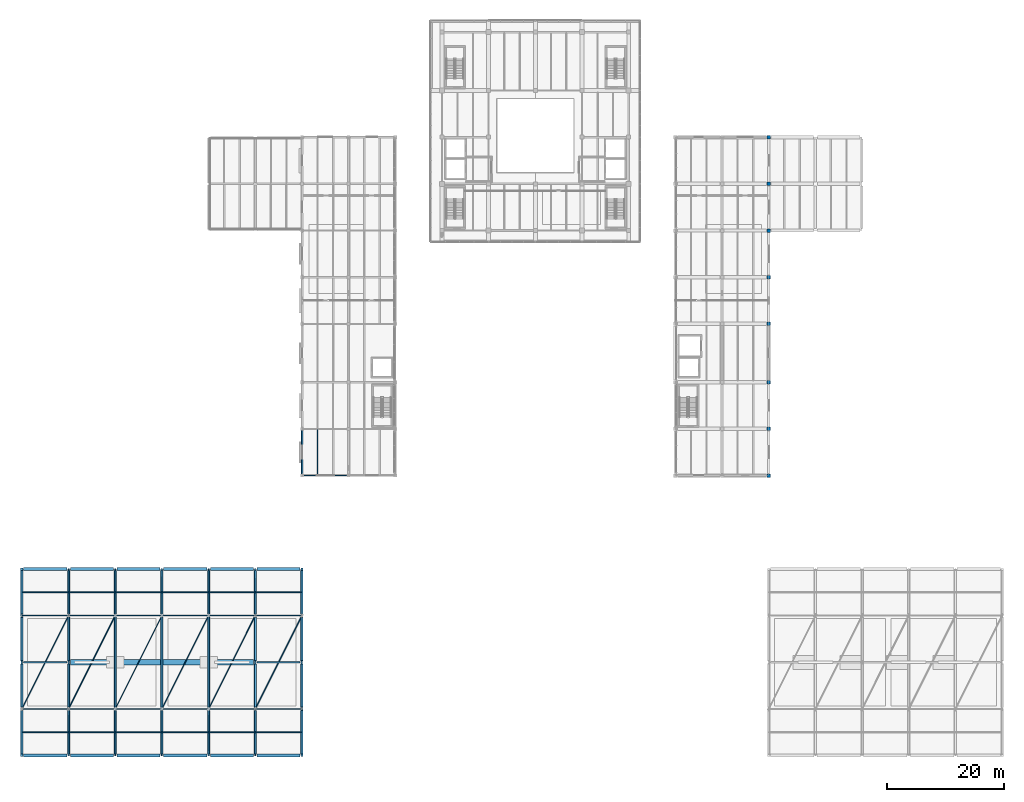
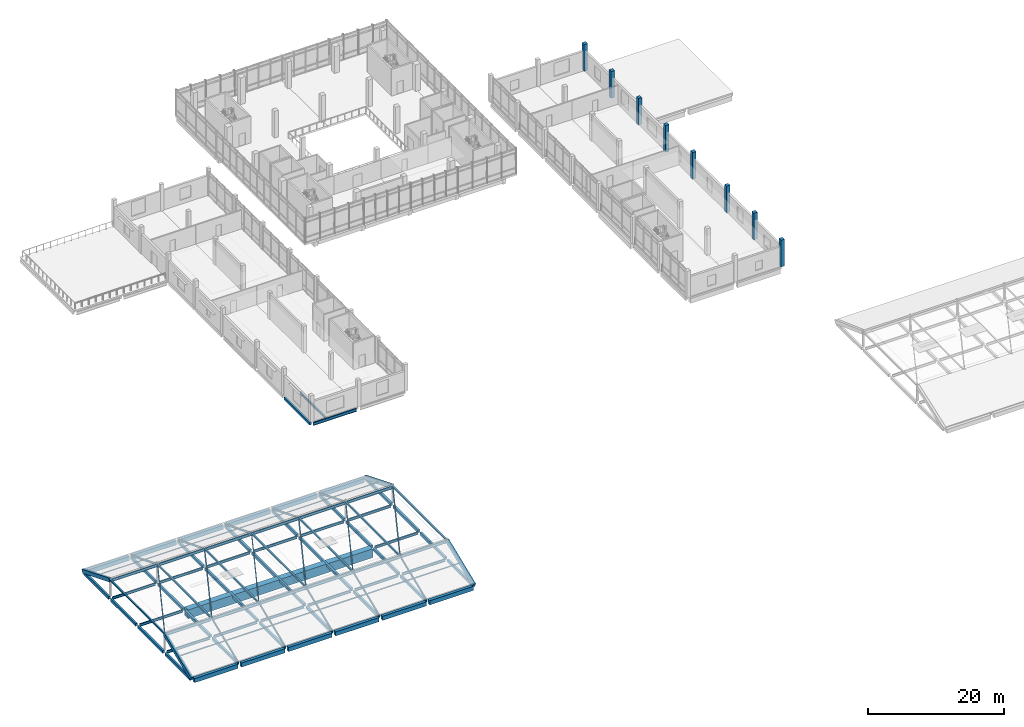
# One storey, part 6 of 47: 61 beams, 39 members, 8 columns.
"""IFC4 building model written with IfcOpenShell, lengths in metres."""

import ifcopenshell
import ifcopenshell.guid

model = None  # the IFC model being written
_history = None  # IfcOwnerHistory: only IFC2X3 demands one
_inside = {}  # id of a spatial element -> (the spatial element, [elements in it])
_under = {}  # id of a project, library or spatial element -> (it, [spatial elements below it])
_declared = {}  # id of a project -> (the project, [libraries it declares])
_typed = {}  # id of a type object -> (the type object, [elements of that type])
_made_of = {}  # id of a material, layer set ... -> (it, [elements and type objects made of it])


def new_model(schema):
    """Start an empty IFC model of exactly this schema.

    Asked for "IFC4X3", IfcOpenShell would pick the latest addendum, in which some entities
    have other attributes; the version numbers below select the first issue.
    IFC2X3 requires an IfcOwnerHistory on every rooted entity: one is made here for all.
    """
    global model, _history
    if schema == "IFC4X3":
        model = ifcopenshell.file(schema_version=(4, 3, 0, 0))
    else:
        model = ifcopenshell.file(schema=schema)
    _inside.clear()
    _under.clear()
    _declared.clear()
    _typed.clear()
    _made_of.clear()
    _history = None
    if model.schema == "IFC2X3":
        org = make("IfcOrganization", Name="unknown")
        user = make(
            "IfcPersonAndOrganization",
            ThePerson=make("IfcPerson", FamilyName="unknown"),
            TheOrganization=org,
        )
        app = make(
            "IfcApplication",
            ApplicationDeveloper=org,
            Version="unknown",
            ApplicationFullName="unknown",
            ApplicationIdentifier="unknown",
        )
        _history = make(
            "IfcOwnerHistory",
            OwningUser=user,
            OwningApplication=app,
            ChangeAction="ADDED",
            CreationDate=0,
        )
    return model


def make(cls, **values):
    """One entity of the class cls with the attributes given. An attribute that is None is left unset."""
    return model.create_entity(
        cls, **{name: value for name, value in values.items() if value is not None}
    )


def rooted(cls, **values):
    """An entity with a GlobalId (a new one), such as an element, a storey or a relation."""
    return make(cls, GlobalId=ifcopenshell.guid.new(), OwnerHistory=_history, **values)


def si_unit(unit_type, name, prefix=None):
    """IfcSIUnit, for example si_unit("LENGTHUNIT", "METRE", prefix="MILLI")."""
    return make("IfcSIUnit", UnitType=unit_type, Prefix=prefix, Name=name)


def assignment(units):
    """IfcUnitAssignment: the units of a project."""
    return None if units is None else make("IfcUnitAssignment", Units=units)


def point(xyz):
    """IfcCartesianPoint."""
    return None if xyz is None else make("IfcCartesianPoint", Coordinates=xyz)


def direction(xyz):
    """IfcDirection."""
    return None if xyz is None else make("IfcDirection", DirectionRatios=xyz)


def frame(location, z_axis=None, x_axis=None):
    """IfcAxis2Placement3D, a coordinate frame: its origin and axes. An axis left out is left unset."""
    return make(
        "IfcAxis2Placement3D",
        Location=point(location),
        Axis=direction(z_axis),
        RefDirection=direction(x_axis),
    )


def frame_2d(location, x_axis=None):
    """IfcAxis2Placement2D, a coordinate frame in the plane: its origin and x axis."""
    return make(
        "IfcAxis2Placement2D", Location=point(location), RefDirection=direction(x_axis)
    )


def origin():
    """The frame at (0, 0, 0) with its axes left unset."""
    return frame((0.0, 0.0, 0.0))


def origin_2d():
    """The frame at (0, 0) in the plane with its x axis left unset."""
    return frame_2d((0.0, 0.0))


def place(relative_to, where):
    """IfcLocalPlacement: puts the frame where relative to a parent placement (None: the world)."""
    return make(
        "IfcLocalPlacement", PlacementRelTo=relative_to, RelativePlacement=where
    )


def context(
    kind, dimensions, precision=None, world=None, true_north=None, identifier=None
):
    """IfcGeometricRepresentationContext, for example the 3D "Model" context."""
    return make(
        "IfcGeometricRepresentationContext",
        ContextIdentifier=identifier,
        ContextType=kind,
        CoordinateSpaceDimension=dimensions,
        Precision=precision,
        WorldCoordinateSystem=world,
        TrueNorth=true_north,
    )


def subcontext(parent, identifier, kind, view, scale=None):
    """IfcGeometricRepresentationSubContext, for example "Body" below "Model"."""
    return make(
        "IfcGeometricRepresentationSubContext",
        ContextIdentifier=identifier,
        ContextType=kind,
        ParentContext=parent,
        TargetScale=scale,
        TargetView=view,
    )


def project(units=None, contexts=None):
    """IfcProject with its units and contexts."""
    return rooted(
        "IfcProject",
        Name="project",
        RepresentationContexts=contexts,
        UnitsInContext=assignment(units),
    )


def spatial(cls, under=None, at=None, **own):
    """A site, building, storey or space (cls), placed at a placement, below another one or the project."""
    s = rooted(cls, ObjectPlacement=at, **own)
    if under is not None:
        _under.setdefault(under.id(), (under, []))[1].append(s)
    return s


def profile(cls, at=None, kind="AREA", **sizes):
    """A parametric profile (cls). Its sizes go by their IFC names, for example OverallWidth=200.0."""
    return make(cls, ProfileType=kind, Position=at, **sizes)


def rectangle(**sizes):
    """IfcRectangleProfileDef."""
    return profile("IfcRectangleProfileDef", **sizes)


def hollow_rectangle(**sizes):
    """IfcRectangleHollowProfileDef."""
    return profile("IfcRectangleHollowProfileDef", **sizes)


def hollow_circle(**sizes):
    """IfcCircleHollowProfileDef."""
    return profile("IfcCircleHollowProfileDef", **sizes)


def i_section(**sizes):
    """IfcIShapeProfileDef."""
    return profile("IfcIShapeProfileDef", **sizes)


def extrude(swept, where, along, depth):
    """IfcExtrudedAreaSolid: the profile swept, set in the frame where, extruded along a direction by depth."""
    return make(
        "IfcExtrudedAreaSolid",
        SweptArea=swept,
        Position=where,
        ExtrudedDirection=direction(along),
        Depth=depth,
    )


def shape(context_of_items, identifier, shape_type, items):
    """IfcShapeRepresentation: the items that make up one representation, for example the "Body"."""
    return make(
        "IfcShapeRepresentation",
        ContextOfItems=context_of_items,
        RepresentationIdentifier=identifier,
        RepresentationType=shape_type,
        Items=items,
    )


def material(Name=None, Category=None):
    """IfcMaterial."""
    return make("IfcMaterial", Name=Name, Category=Category)


def material_profile(
    of_material, cross_section, Name=None, Category=None, Priority=None
):
    """IfcMaterialProfile: a cross section and its material."""
    return make(
        "IfcMaterialProfile",
        Name=Name,
        Material=of_material,
        Profile=cross_section,
        Priority=Priority,
        Category=Category,
    )


def profile_set(profiles, Name=None, composite=None):
    """IfcMaterialProfileSet."""
    return make(
        "IfcMaterialProfileSet",
        Name=Name,
        MaterialProfiles=profiles,
        CompositeProfile=composite,
    )


def made_of(thing, what):
    """Note that an element or type object is made of a material, layer set ...; save() writes the relation."""
    if what is not None:
        _made_of.setdefault(what.id(), (what, []))[1].append(thing)
    return thing


def type_object(cls, material=None, **own):
    """A type object (cls), such as IfcWallType, which elements share."""
    return made_of(rooted(cls, **own), material)


def element(
    cls,
    number,
    at=None,
    inside=None,
    cuts=None,
    type_object=None,
    material=None,
    context=None,
    identifier="Body",
    shape_type=None,
    held_by="IfcProductDefinitionShape",
    body=None,
    shapes=None,
    **own,
):
    """One element of the class cls, such as IfcWall. Its Tag is "e" and its number.

    at: its placement. inside: the storey or other place that contains it. cuts: it is an
    opening in that element (IfcRelVoidsElement). A single representation is given by context,
    identifier, shape_type and body (its items); several are given by shapes. held_by: the class
    of the entity that holds the representations. save() writes the other relations.
    """
    e = rooted(cls, Tag="e%d" % number, ObjectPlacement=at, **own)
    if body is not None:
        shapes = [shape(context, identifier, shape_type, body)]
    if shapes is not None:
        e.Representation = make(held_by, Representations=shapes)
    if inside is not None:
        _inside.setdefault(inside.id(), (inside, []))[1].append(e)
    if cuts is not None:
        rooted(
            "IfcRelVoidsElement", RelatingBuildingElement=cuts, RelatedOpeningElement=e
        )
    if type_object is not None:
        _typed.setdefault(type_object.id(), (type_object, []))[1].append(e)
    return made_of(e, material)


def aggregate(whole, parts):
    """IfcRelAggregates: a whole, such as a stair, and the parts it consists of."""
    return rooted("IfcRelAggregates", RelatingObject=whole, RelatedObjects=parts)


def save(model, path):
    """Write the relations noted so far, then the file.

    IfcRelAggregates (storeys below a building ...), IfcRelContainedInSpatialStructure (elements
    in a storey), IfcRelDefinesByType, IfcRelAssociatesMaterial and IfcRelDeclares: one each for
    every whole, place, type object, material and project.
    """
    for whole, parts in _under.values():
        aggregate(whole, parts)
    for where, things in _inside.values():
        rooted(
            "IfcRelContainedInSpatialStructure",
            RelatedElements=things,
            RelatingStructure=where,
        )
    for kind, things in _typed.values():
        rooted("IfcRelDefinesByType", RelatedObjects=things, RelatingType=kind)
    for what, things in _made_of.values():
        rooted("IfcRelAssociatesMaterial", RelatedObjects=things, RelatingMaterial=what)
    for by, libraries in _declared.values():
        rooted("IfcRelDeclares", RelatingContext=by, RelatedDefinitions=libraries)
    model.write(path)


model = new_model("IFC4")

# Units and contexts
model_context = context("Model", 3, precision=1e-05, world=origin(), true_north=direction((0.0, 1.0)))
body_context = subcontext(model_context, "Body", "Model", "MODEL_VIEW")
ifc_project = project(units=[si_unit("LENGTHUNIT", "METRE"), si_unit("AREAUNIT", "SQUARE_METRE"), si_unit("VOLUMEUNIT", "CUBIC_METRE"), si_unit("PLANEANGLEUNIT", "RADIAN"), si_unit("MASSUNIT", "GRAM", prefix="KILO")], contexts=[model_context])

# Site, building, storey
site_placement = place(None, origin())
site = spatial("IfcSite", under=ifc_project, at=site_placement, CompositionType="ELEMENT")
building_placement = place(site_placement, origin())
building = spatial("IfcBuilding", under=site, at=building_placement, Name="Pecanmere Concourse Central Library", CompositionType="ELEMENT")
storey_placement = place(building_placement, frame((0.0, 0.0, 15.300048828125)))
storey = spatial("IfcBuildingStorey", under=building, at=storey_placement, Name="L04", CompositionType="ELEMENT", Elevation=15.300048828125)

# Columns
ifc_material_1 = material(Name="Concrete C40/50", Category="concrete")
ifc_material_profile_1 = material_profile(ifc_material_1, rectangle(XDim=0.60009765625, YDim=0.60009765625, at=origin_2d()), Name="RC 600x600")
ifc_profile_set_1 = profile_set([ifc_material_profile_1], Name="Concrete C40/50")
column_type = type_object("IfcColumnType", Name="COL_RC_600x600", PredefinedType="COLUMN", material=ifc_profile_set_1)
for number, where, z_axis, x_axis, name in (
    (1, (128.0, 48.0, 0.0), (0.0, 0.0, 1.0), (1.0, 0.0, 0.0), "Column C-08 L04-065"),
    (2, (128.0, 56.0, 0.0), (0.0, 0.0, 1.0), (1.0, 0.0, 0.0), "Column C-08 L04-066"),
    (3, (128.0, 64.0, 0.0), (0.0, 0.0, 1.0), (1.0, 0.0, 0.0), "Column C-08 L04-067"),
    (4, (128.0, 74.0, 0.0), (0.0, 0.0, 1.0), (1.0, 0.0, 0.0), "Column C-08 L04-068"),
    (5, (128.0, 82.0, 0.0), (0.0, 0.0, 1.0), (1.0, 0.0, 0.0), "Column C-08 L04-069"),
    (6, (128.0, 90.0, 0.0), (0.0, 0.0, 1.0), (1.0, 0.0, 0.0), "Column C-08 L04-070"),
    (7, (128.0, 98.0, 0.0), (0.0, 0.0, 1.0), (1.0, 0.0, 0.0), "Column C-08 L04-071"),
    (8, (128.0, 106.0, 0.0), (0.0, 0.0, 1.0), (1.0, 0.0, 0.0), "Column C-08 L04-072"),
):
    element("IfcColumn", number, at=place(storey_placement, frame(where, z_axis=z_axis, x_axis=x_axis)), inside=storey, type_object=column_type, Name=name, PredefinedType="COLUMN", context=body_context, shape_type="SweptSolid", body=[
        extrude(rectangle(XDim=0.60009765625, YDim=0.60009765625, at=origin_2d()), origin(), (0.0, 0.0, 1.0), 4.800048828125),
    ])

# Beams
ifc_material_2 = material(Name="Concrete C40/50", Category="concrete")
ifc_material_profile_2 = material_profile(ifc_material_2, rectangle(XDim=0.320068359375, YDim=0.4599609375, at=origin_2d()), Name="RC 320x460")
ifc_profile_set_2 = profile_set([ifc_material_profile_2], Name="Concrete C40/50")
beam_type_1 = type_object("IfcBeamType", Name="BM_320x460", PredefinedType="BEAM", material=ifc_profile_set_2)
beam_1_placement = place(storey_placement, frame((48.0, 48.219970703125, -0.550048828125), z_axis=(0.0, 1.0, 0.0), x_axis=(-1.0, 0.0, 0.0)))
element("IfcBeam", 9, at=beam_1_placement, inside=storey, type_object=beam_type_1, Name="Primary Girder Y L04-2250", PredefinedType="BEAM", context=body_context, shape_type="SweptSolid", body=[
    extrude(rectangle(XDim=0.320068359375, YDim=0.4599609375, at=origin_2d()), origin(), (0.0, 0.0, 1.0), 7.56005859375),
])
ifc_material_3 = material(Name="Concrete C40/50", Category="concrete")
ifc_material_profile_3 = material_profile(ifc_material_3, rectangle(XDim=0.340087890625, YDim=0.47998046875, at=origin_2d()), Name="RC 340x480")
ifc_profile_set_3 = profile_set([ifc_material_profile_3], Name="Concrete C40/50")
beam_type_2 = type_object("IfcBeamType", Name="BM_340x480", PredefinedType="BEAM", material=ifc_profile_set_3)
for number, where, z_axis, x_axis, name in (
    (10, (0.0, 0.300048828125, -0.56005859375), (0.0, 1.0, 0.0), (-1.0, 0.0, 0.0), "Primary Girder Y L04-2221"),
    (11, (0.0, 8.300048828125, -0.56005859375), (0.0, 1.0, 0.0), (-1.0, 0.0, 0.0), "Primary Girder Y L04-2222"),
    (12, (0.0, 16.300048828125, -0.56005859375), (0.0, 1.0, 0.0), (-1.0, 0.0, 0.0), "Primary Girder Y L04-2223"),
    (13, (0.0, 24.300048828125, -0.56005859375), (0.0, 1.0, 0.0), (-1.0, 0.0, 0.0), "Primary Girder Y L04-2224"),
    (14, (8.0, 0.300048828125, -0.56005859375), (0.0, 1.0, 0.0), (-1.0, 0.0, 0.0), "Primary Girder Y L04-2225"),
    (15, (8.0, 8.300048828125, -0.56005859375), (0.0, 1.0, 0.0), (-1.0, 0.0, 0.0), "Primary Girder Y L04-2226"),
    (16, (8.0, 16.300048828125, -0.56005859375), (0.0, 1.0, 0.0), (-1.0, 0.0, 0.0), "Primary Girder Y L04-2227"),
    (17, (8.0, 24.300048828125, -0.56005859375), (0.0, 1.0, 0.0), (-1.0, 0.0, 0.0), "Primary Girder Y L04-2228"),
    (18, (16.0, 0.300048828125, -0.56005859375), (0.0, 1.0, 0.0), (-1.0, 0.0, 0.0), "Primary Girder Y L04-2229"),
):
    element("IfcBeam", number, at=place(storey_placement, frame(where, z_axis=z_axis, x_axis=x_axis)), inside=storey, type_object=beam_type_2, Name=name, PredefinedType="BEAM", context=body_context, shape_type="SweptSolid", body=[
        extrude(rectangle(XDim=0.340087890625, YDim=0.47998046875, at=origin_2d()), origin(), (0.0, 0.0, 1.0), 7.39990234375),
    ])
beam_2_placement = place(storey_placement, frame((16.0, 8.300048828125, -0.56005859375), z_axis=(0.0, 1.0, 0.0), x_axis=(-1.0, 0.0, 0.0)))
element("IfcBeam", 19, at=beam_2_placement, inside=storey, type_object=beam_type_2, Name="Primary Girder Y L04-2230", PredefinedType="BEAM", context=body_context, shape_type="SweptSolid", body=[
    extrude(rectangle(XDim=0.340087890625, YDim=0.47998046875, at=origin_2d()), origin(), (0.0, 0.0, 1.0), 15.39990234375),
])
for number, where, z_axis, x_axis, name in (
    (20, (16.0, 24.300048828125, -0.56005859375), (0.0, 1.0, 0.0), (-1.0, 0.0, 0.0), "Primary Girder Y L04-2231"),
    (21, (24.0, 0.300048828125, -0.56005859375), (0.0, 1.0, 0.0), (-1.0, 0.0, 0.0), "Primary Girder Y L04-2232"),
):
    element("IfcBeam", number, at=place(storey_placement, frame(where, z_axis=z_axis, x_axis=x_axis)), inside=storey, type_object=beam_type_2, Name=name, PredefinedType="BEAM", context=body_context, shape_type="SweptSolid", body=[
        extrude(rectangle(XDim=0.340087890625, YDim=0.47998046875, at=origin_2d()), origin(), (0.0, 0.0, 1.0), 7.39990234375),
    ])
beam_3_placement = place(storey_placement, frame((24.0, 8.300048828125, -0.56005859375), z_axis=(0.0, 1.0, 0.0), x_axis=(-1.0, 0.0, 0.0)))
element("IfcBeam", 22, at=beam_3_placement, inside=storey, type_object=beam_type_2, Name="Primary Girder Y L04-2233", PredefinedType="BEAM", context=body_context, shape_type="SweptSolid", body=[
    extrude(rectangle(XDim=0.340087890625, YDim=0.47998046875, at=origin_2d()), origin(), (0.0, 0.0, 1.0), 15.39990234375),
])
for number, where, z_axis, x_axis, name in (
    (23, (24.0, 24.300048828125, -0.56005859375), (0.0, 1.0, 0.0), (-1.0, 0.0, 0.0), "Primary Girder Y L04-2234"),
    (24, (32.0, 0.300048828125, -0.56005859375), (0.0, 1.0, 0.0), (-1.0, 0.0, 0.0), "Primary Girder Y L04-2235"),
):
    element("IfcBeam", number, at=place(storey_placement, frame(where, z_axis=z_axis, x_axis=x_axis)), inside=storey, type_object=beam_type_2, Name=name, PredefinedType="BEAM", context=body_context, shape_type="SweptSolid", body=[
        extrude(rectangle(XDim=0.340087890625, YDim=0.47998046875, at=origin_2d()), origin(), (0.0, 0.0, 1.0), 7.39990234375),
    ])
beam_4_placement = place(storey_placement, frame((32.0, 8.300048828125, -0.56005859375), z_axis=(0.0, 1.0, 0.0), x_axis=(-1.0, 0.0, 0.0)))
element("IfcBeam", 25, at=beam_4_placement, inside=storey, type_object=beam_type_2, Name="Primary Girder Y L04-2236", PredefinedType="BEAM", context=body_context, shape_type="SweptSolid", body=[
    extrude(rectangle(XDim=0.340087890625, YDim=0.47998046875, at=origin_2d()), origin(), (0.0, 0.0, 1.0), 15.39990234375),
])
for number, where, z_axis, x_axis, name in (
    (26, (32.0, 24.300048828125, -0.56005859375), (0.0, 1.0, 0.0), (-1.0, 0.0, 0.0), "Primary Girder Y L04-2237"),
    (27, (40.0, 0.300048828125, -0.56005859375), (0.0, 1.0, 0.0), (-1.0, 0.0, 0.0), "Primary Girder Y L04-2240"),
    (28, (40.0, 8.300048828125, -0.56005859375), (0.0, 1.0, 0.0), (-1.0, 0.0, 0.0), "Primary Girder Y L04-2241"),
    (29, (40.0, 16.300048828125, -0.56005859375), (0.0, 1.0, 0.0), (-1.0, 0.0, 0.0), "Primary Girder Y L04-2242"),
    (30, (40.0, 24.300048828125, -0.56005859375), (0.0, 1.0, 0.0), (-1.0, 0.0, 0.0), "Primary Girder Y L04-2243"),
    (31, (48.0, 0.300048828125, -0.56005859375), (0.0, 1.0, 0.0), (-1.0, 0.0, 0.0), "Primary Girder Y L04-2246"),
    (32, (48.0, 8.300048828125, -0.56005859375), (0.0, 1.0, 0.0), (-1.0, 0.0, 0.0), "Primary Girder Y L04-2247"),
    (33, (48.0, 16.300048828125, -0.56005859375), (0.0, 1.0, 0.0), (-1.0, 0.0, 0.0), "Primary Girder Y L04-2248"),
    (34, (48.0, 24.300048828125, -0.56005859375), (0.0, 1.0, 0.0), (-1.0, 0.0, 0.0), "Primary Girder Y L04-2249"),
):
    element("IfcBeam", number, at=place(storey_placement, frame(where, z_axis=z_axis, x_axis=x_axis)), inside=storey, type_object=beam_type_2, Name=name, PredefinedType="BEAM", context=body_context, shape_type="SweptSolid", body=[
        extrude(rectangle(XDim=0.340087890625, YDim=0.47998046875, at=origin_2d()), origin(), (0.0, 0.0, 1.0), 7.39990234375),
    ])
ifc_material_4 = material(Name="Concrete C40/50", Category="concrete")
ifc_material_profile_4 = material_profile(ifc_material_4, rectangle(XDim=0.5, YDim=0.739990234375, at=origin_2d()), Name="RC 500x740")
ifc_profile_set_4 = profile_set([ifc_material_profile_4], Name="Concrete C40/50")
beam_type_3 = type_object("IfcBeamType", Name="GRD_500x740", PredefinedType="USERDEFINED", material=ifc_profile_set_4)
for number, where, z_axis, x_axis, name in (
    (35, (0.300048828125, 0.0, -0.68994140625), (1.0, 0.0, 0.0), (0.0, 1.0, 0.0), "Primary Girder X L04-2107"),
    (36, (8.300048828125, 0.0, -0.68994140625), (1.0, 0.0, 0.0), (0.0, 1.0, 0.0), "Primary Girder X L04-2108"),
    (37, (16.300048828125, 0.0, -0.68994140625), (1.0, 0.0, 0.0), (0.0, 1.0, 0.0), "Primary Girder X L04-2109"),
    (38, (24.300048828125, 0.0, -0.68994140625), (1.0, 0.0, 0.0), (0.0, 1.0, 0.0), "Primary Girder X L04-2110"),
    (39, (32.300048828125, 0.0, -0.68994140625), (1.0, 0.0, 0.0), (0.0, 1.0, 0.0), "Primary Girder X L04-2111"),
    (40, (40.300048828125, 0.0, -0.68994140625), (1.0, 0.0, 0.0), (0.0, 1.0, 0.0), "Primary Girder X L04-2112"),
    (41, (0.300048828125, 32.0, -0.68994140625), (1.0, 0.0, 0.0), (0.0, 1.0, 0.0), "Primary Girder X L04-2148"),
    (42, (8.300048828125, 32.0, -0.68994140625), (1.0, 0.0, 0.0), (0.0, 1.0, 0.0), "Primary Girder X L04-2149"),
    (43, (16.300048828125, 32.0, -0.68994140625), (1.0, 0.0, 0.0), (0.0, 1.0, 0.0), "Primary Girder X L04-2150"),
    (44, (24.300048828125, 32.0, -0.68994140625), (1.0, 0.0, 0.0), (0.0, 1.0, 0.0), "Primary Girder X L04-2151"),
    (45, (32.300048828125, 32.0, -0.68994140625), (1.0, 0.0, 0.0), (0.0, 1.0, 0.0), "Primary Girder X L04-2152"),
    (46, (40.300048828125, 32.0, -0.68994140625), (1.0, 0.0, 0.0), (0.0, 1.0, 0.0), "Primary Girder X L04-2153"),
):
    element("IfcBeam", number, at=place(storey_placement, frame(where, z_axis=z_axis, x_axis=x_axis)), inside=storey, type_object=beam_type_3, Name=name, ObjectType="GIRDER", PredefinedType="USERDEFINED", context=body_context, shape_type="SweptSolid", body=[
        extrude(rectangle(XDim=0.5, YDim=0.739990234375, at=origin_2d()), origin(), (0.0, 0.0, 1.0), 7.39990234375),
    ])

# Members
ifc_material_5 = material(Name="Structural steel ASTM A500 Grade C", Category="steel")
ifc_material_profile_5 = material_profile(ifc_material_5, hollow_circle(Radius=0.109619140625, WallThickness=0.009521484375, at=origin_2d()), Name="HSS219.1x9.5")
ifc_profile_set_5 = profile_set([ifc_material_profile_5], Name="Structural steel ASTM A500 Grade C")
member_type_1 = type_object("IfcMemberType", Name="MEM_BRACE_3", PredefinedType="BRACE", material=ifc_profile_set_5)
member_1_placement = place(storey_placement, frame((24.0, 8.0, 2.853759765625), z_axis=(0.4472135955, 0.894427191, 0.0), x_axis=(-0.894427191, 0.4472135955, 0.0)))
element("IfcMember", 47, at=member_1_placement, inside=storey, type_object=member_type_1, Name="Pavilion Roof Wind Brace 033", PredefinedType="BRACE", context=body_context, shape_type="SweptSolid", body=[
    extrude(hollow_circle(Radius=0.109619140625, WallThickness=0.009521484375, at=origin_2d()), origin(), (0.0, 0.0, 1.0), 17.888427734375),
])
ifc_material_6 = material(Name="Structural steel ASTM A500 Grade C", Category="steel")
ifc_material_profile_6 = material_profile(ifc_material_6, hollow_circle(Radius=0.083984375, WallThickness=0.008056640625, at=origin_2d()), Name="HSS168.3x8.0")
ifc_profile_set_6 = profile_set([ifc_material_profile_6], Name="Structural steel ASTM A500 Grade C")
member_type_2 = type_object("IfcMemberType", Name="MEM_BRACE_4", PredefinedType="BRACE", material=ifc_profile_set_6)
member_2_placement = place(storey_placement, frame((16.0, 8.0, 2.853759765625), z_axis=(0.4472135955, 0.894427191, 0.0), x_axis=(-0.894427191, 0.4472135955, 0.0)))
element("IfcMember", 48, at=member_2_placement, inside=storey, type_object=member_type_2, Name="Pavilion Roof Wind Brace 030", PredefinedType="BRACE", context=body_context, shape_type="SweptSolid", body=[
    extrude(hollow_circle(Radius=0.083984375, WallThickness=0.008056640625, at=origin_2d()), origin(), (0.0, 0.0, 1.0), 17.888427734375),
])
ifc_material_7 = material(Name="Structural steel ASTM A500 Grade C", Category="steel")
ifc_material_profile_7 = material_profile(ifc_material_7, hollow_circle(Radius=0.070556640625, WallThickness=0.008056640625, at=origin_2d()), Name="HSS141.3x8.0")
ifc_profile_set_7 = profile_set([ifc_material_profile_7], Name="Structural steel ASTM A500 Grade C")
member_type_3 = type_object("IfcMemberType", Name="MEM_BRACE_5", PredefinedType="BRACE", material=ifc_profile_set_7)
for number, where, z_axis, x_axis, name in (
    (49, (8.0, 8.0, 2.853759765625), (0.4472135955, 0.894427191, 0.0), (-0.894427191, 0.4472135955, 0.0), "Pavilion Roof Wind Brace 027"),
    (50, (40.0, 8.0, 2.853759765625), (0.4472135955, 0.894427191, 0.0), (-0.894427191, 0.4472135955, 0.0), "Pavilion Roof Wind Brace 039"),
):
    element("IfcMember", number, at=place(storey_placement, frame(where, z_axis=z_axis, x_axis=x_axis)), inside=storey, type_object=member_type_3, Name=name, PredefinedType="BRACE", context=body_context, shape_type="SweptSolid", body=[
        extrude(hollow_circle(Radius=0.070556640625, WallThickness=0.008056640625, at=origin_2d()), origin(), (0.0, 0.0, 1.0), 17.888427734375),
    ])
ifc_material_8 = material(Name="Structural steel ASTM A500 Grade C", Category="steel")
ifc_material_profile_8 = material_profile(ifc_material_8, hollow_circle(Radius=0.056884765625, WallThickness=0.00634765625, at=origin_2d()), Name="HSS114.3x6.4")
ifc_profile_set_8 = profile_set([ifc_material_profile_8], Name="Structural steel ASTM A500 Grade C")
member_type_4 = type_object("IfcMemberType", Name="MEM_BRACE_6", PredefinedType="BRACE", material=ifc_profile_set_8)
for number, where, z_axis, x_axis, name in (
    (51, (0.0, 8.0, 2.853759765625), (0.4472135955, 0.894427191, 0.0), (-0.894427191, 0.4472135955, 0.0), "Pavilion Roof Wind Brace 024"),
    (52, (32.0, 8.0, 2.853759765625), (0.4472135955, 0.894427191, 0.0), (-0.894427191, 0.4472135955, 0.0), "Pavilion Roof Wind Brace 036"),
):
    element("IfcMember", number, at=place(storey_placement, frame(where, z_axis=z_axis, x_axis=x_axis)), inside=storey, type_object=member_type_4, Name=name, PredefinedType="BRACE", context=body_context, shape_type="SweptSolid", body=[
        extrude(hollow_circle(Radius=0.056884765625, WallThickness=0.00634765625, at=origin_2d()), origin(), (0.0, 0.0, 1.0), 17.888427734375),
    ])
ifc_material_9 = material(Name="Structural steel ASTM A500 Grade C", Category="steel")
ifc_material_profile_9 = material_profile(ifc_material_9, hollow_rectangle(XDim=0.25390625, YDim=0.25390625, WallThickness=0.0126953125, at=origin_2d()), Name="HSS254x254x12.7")
ifc_profile_set_9 = profile_set([ifc_material_profile_9], Name="Structural steel ASTM A500 Grade C")
member_type_5 = type_object("IfcMemberType", Name="MEM_CHORD_1", PredefinedType="CHORD", material=ifc_profile_set_9)
for number, where, z_axis, x_axis, name in (
    (53, (0.0, 8.0, 2.853759765625), (0.0, 1.0, 0.0), (-1.0, 0.0, 0.0), "Pavilion Truss Top Chord 015"),
    (54, (8.0, 8.0, 2.853759765625), (0.0, 1.0, 0.0), (-1.0, 0.0, 0.0), "Pavilion Truss Top Chord 016"),
    (55, (16.0, 8.0, 2.853759765625), (0.0, 1.0, 0.0), (-1.0, 0.0, 0.0), "Pavilion Truss Top Chord 017"),
    (56, (24.0, 8.0, 2.853759765625), (0.0, 1.0, 0.0), (-1.0, 0.0, 0.0), "Pavilion Truss Top Chord 018"),
    (57, (32.0, 8.0, 2.853759765625), (0.0, 1.0, 0.0), (-1.0, 0.0, 0.0), "Pavilion Truss Top Chord 019"),
    (58, (40.0, 8.0, 2.853759765625), (0.0, 1.0, 0.0), (-1.0, 0.0, 0.0), "Pavilion Truss Top Chord 020"),
    (59, (48.0, 8.0, 2.853759765625), (0.0, 1.0, 0.0), (-1.0, 0.0, 0.0), "Pavilion Truss Top Chord 021"),
):
    element("IfcMember", number, at=place(storey_placement, frame(where, z_axis=z_axis, x_axis=x_axis)), inside=storey, type_object=member_type_5, Name=name, PredefinedType="CHORD", context=body_context, shape_type="SweptSolid", body=[
        extrude(hollow_rectangle(XDim=0.25390625, YDim=0.25390625, WallThickness=0.0126953125, at=origin_2d()), origin(), (0.0, 0.0, 1.0), 16.0),
    ])
ifc_material_10 = material(Name="Structural steel ASTM A500 Grade C", Category="steel")
ifc_material_profile_10 = material_profile(ifc_material_10, hollow_rectangle(XDim=0.10205078125, YDim=0.202880859375, WallThickness=0.008056640625, at=origin_2d()), Name="HSS203x102x8.0")
ifc_profile_set_10 = profile_set([ifc_material_profile_10], Name="Structural steel ASTM A500 Grade C")
member_type_6 = type_object("IfcMemberType", Name="MEM_PURLIN_2", PredefinedType="PURLIN", material=ifc_profile_set_10)
member_3_placement = place(storey_placement, frame((0.1201171875, 4.0, 1.237548828125), z_axis=(1.0, 0.0, 0.0), x_axis=(0.0, 1.0, 0.0)))
element("IfcMember", 60, at=member_3_placement, inside=storey, type_object=member_type_6, Name="Pavilion Roof Purlin 022", PredefinedType="PURLIN", context=body_context, shape_type="SweptSolid", body=[
    extrude(hollow_rectangle(XDim=0.10205078125, YDim=0.202880859375, WallThickness=0.008056640625, at=origin_2d()), origin(), (0.0, 0.0, 1.0), 7.8798828125),
])
for number, where, z_axis, x_axis, name in (
    (61, (8.0, 4.0, 1.237548828125), (1.0, 0.0, 0.0), (0.0, 1.0, 0.0), "Pavilion Roof Purlin 025"),
    (62, (16.0, 4.0, 1.237548828125), (1.0, 0.0, 0.0), (0.0, 1.0, 0.0), "Pavilion Roof Purlin 028"),
    (63, (24.0, 4.0, 1.237548828125), (1.0, 0.0, 0.0), (0.0, 1.0, 0.0), "Pavilion Roof Purlin 031"),
    (64, (32.0, 4.0, 1.237548828125), (1.0, 0.0, 0.0), (0.0, 1.0, 0.0), "Pavilion Roof Purlin 034"),
):
    element("IfcMember", number, at=place(storey_placement, frame(where, z_axis=z_axis, x_axis=x_axis)), inside=storey, type_object=member_type_6, Name=name, PredefinedType="PURLIN", context=body_context, shape_type="SweptSolid", body=[
        extrude(hollow_rectangle(XDim=0.10205078125, YDim=0.202880859375, WallThickness=0.008056640625, at=origin_2d()), origin(), (0.0, 0.0, 1.0), 8.0),
    ])
member_4_placement = place(storey_placement, frame((40.0, 4.0, 1.237548828125), z_axis=(1.0, 0.0, 0.0), x_axis=(0.0, 1.0, 0.0)))
element("IfcMember", 65, at=member_4_placement, inside=storey, type_object=member_type_6, Name="Pavilion Roof Purlin 037", PredefinedType="PURLIN", context=body_context, shape_type="SweptSolid", body=[
    extrude(hollow_rectangle(XDim=0.10205078125, YDim=0.202880859375, WallThickness=0.008056640625, at=origin_2d()), origin(), (0.0, 0.0, 1.0), 7.8798828125),
])
ifc_material_11 = material(Name="Structural steel ASTM A500 Grade C", Category="steel")
ifc_material_profile_11 = material_profile(ifc_material_11, hollow_rectangle(XDim=0.10205078125, YDim=0.152099609375, WallThickness=0.00634765625, at=origin_2d()), Name="HSS152x102x6.4")
ifc_profile_set_11 = profile_set([ifc_material_profile_11], Name="Structural steel ASTM A500 Grade C")
member_type_7 = type_object("IfcMemberType", Name="MEM_PURLIN_3", PredefinedType="PURLIN", material=ifc_profile_set_11)
member_5_placement = place(storey_placement, frame((0.1201171875, 28.0, 1.237548828125), z_axis=(1.0, 0.0, 0.0), x_axis=(0.0, 1.0, 0.0)))
element("IfcMember", 66, at=member_5_placement, inside=storey, type_object=member_type_7, Name="Pavilion Roof Purlin 023", PredefinedType="PURLIN", context=body_context, shape_type="SweptSolid", body=[
    extrude(hollow_rectangle(XDim=0.10205078125, YDim=0.152099609375, WallThickness=0.00634765625, at=origin_2d()), origin(), (0.0, 0.0, 1.0), 7.8798828125),
])
for number, where, z_axis, x_axis, name in (
    (67, (8.0, 28.0, 1.237548828125), (1.0, 0.0, 0.0), (0.0, 1.0, 0.0), "Pavilion Roof Purlin 026"),
    (68, (16.0, 28.0, 1.237548828125), (1.0, 0.0, 0.0), (0.0, 1.0, 0.0), "Pavilion Roof Purlin 029"),
    (69, (24.0, 28.0, 1.237548828125), (1.0, 0.0, 0.0), (0.0, 1.0, 0.0), "Pavilion Roof Purlin 032"),
    (70, (32.0, 28.0, 1.237548828125), (1.0, 0.0, 0.0), (0.0, 1.0, 0.0), "Pavilion Roof Purlin 035"),
):
    element("IfcMember", number, at=place(storey_placement, frame(where, z_axis=z_axis, x_axis=x_axis)), inside=storey, type_object=member_type_7, Name=name, PredefinedType="PURLIN", context=body_context, shape_type="SweptSolid", body=[
        extrude(hollow_rectangle(XDim=0.10205078125, YDim=0.152099609375, WallThickness=0.00634765625, at=origin_2d()), origin(), (0.0, 0.0, 1.0), 8.0),
    ])
member_6_placement = place(storey_placement, frame((40.0, 28.0, 1.237548828125), z_axis=(1.0, 0.0, 0.0), x_axis=(0.0, 1.0, 0.0)))
element("IfcMember", 71, at=member_6_placement, inside=storey, type_object=member_type_7, Name="Pavilion Roof Purlin 038", PredefinedType="PURLIN", context=body_context, shape_type="SweptSolid", body=[
    extrude(hollow_rectangle(XDim=0.10205078125, YDim=0.152099609375, WallThickness=0.00634765625, at=origin_2d()), origin(), (0.0, 0.0, 1.0), 7.8798828125),
])
ifc_material_12 = material(Name="Structural steel ASTM A992 Grade 50", Category="steel")
ifc_material_profile_12 = material_profile(ifc_material_12, i_section(OverallWidth=0.1669921875, OverallDepth=0.31689453125, WebThickness=0.007568359375, FlangeThickness=0.01318359375, at=origin_2d()), Name="W310x52")
ifc_profile_set_12 = profile_set([ifc_material_profile_12], Name="Structural steel ASTM A992 Grade 50")
member_type_8 = type_object("IfcMemberType", Name="MEM_RAFTER_1", PredefinedType="RAFTER", material=ifc_profile_set_12)
for number, where, z_axis, x_axis, name in (
    (72, (8.0, 0.0, -0.378662109375), (0.0, 0.927175317647, 0.37462772234), (-1.0, 0.0, 0.0), "Pavilion Roof Rafter S-016"),
    (73, (8.0, 32.0, -0.378662109375), (0.0, -0.927175317647, 0.37462772234), (1.0, 0.0, 0.0), "Pavilion Roof Rafter N-016"),
    (74, (16.0, 0.0, -0.378662109375), (0.0, 0.927175317647, 0.37462772234), (-1.0, 0.0, 0.0), "Pavilion Roof Rafter S-017"),
    (75, (16.0, 32.0, -0.378662109375), (0.0, -0.927175317647, 0.37462772234), (1.0, 0.0, 0.0), "Pavilion Roof Rafter N-017"),
    (76, (24.0, 0.0, -0.378662109375), (0.0, 0.927175317647, 0.37462772234), (-1.0, 0.0, 0.0), "Pavilion Roof Rafter S-018"),
    (77, (24.0, 32.0, -0.378662109375), (0.0, -0.927175317647, 0.37462772234), (1.0, 0.0, 0.0), "Pavilion Roof Rafter N-018"),
    (78, (32.0, 0.0, -0.378662109375), (0.0, 0.927175317647, 0.37462772234), (-1.0, 0.0, 0.0), "Pavilion Roof Rafter S-019"),
    (79, (32.0, 32.0, -0.378662109375), (0.0, -0.927175317647, 0.37462772234), (1.0, 0.0, 0.0), "Pavilion Roof Rafter N-019"),
    (80, (40.0, 0.0, -0.378662109375), (0.0, 0.927175317647, 0.37462772234), (-1.0, 0.0, 0.0), "Pavilion Roof Rafter S-020"),
    (81, (40.0, 32.0, -0.378662109375), (0.0, -0.927175317647, 0.37462772234), (1.0, 0.0, 0.0), "Pavilion Roof Rafter N-020"),
):
    element("IfcMember", number, at=place(storey_placement, frame(where, z_axis=z_axis, x_axis=x_axis)), inside=storey, type_object=member_type_8, Name=name, PredefinedType="RAFTER", context=body_context, shape_type="SweptSolid", body=[
        extrude(i_section(OverallWidth=0.1669921875, OverallDepth=0.31689453125, WebThickness=0.007568359375, FlangeThickness=0.01318359375, at=origin_2d()), origin(), (0.0, 0.0, 1.0), 8.62841796875),
    ])
ifc_material_13 = material(Name="Concrete C40/50", Category="concrete")
ifc_material_profile_13 = material_profile(ifc_material_13, rectangle(XDim=0.39990234375, YDim=0.659912109375, at=origin_2d()), Name="RC 400x660")
ifc_profile_set_13 = profile_set([ifc_material_profile_13], Name="Concrete C40/50")
member_type_9 = type_object("IfcMemberType", Name="MEM_VERGE_RAKER", PredefinedType="RAFTER", material=ifc_profile_set_13)
for number, where, z_axis, x_axis, name in (
    (82, (0.0, 0.0, -0.378662109375), (0.0, 0.927175317647, 0.37462772234), (-1.0, 0.0, 0.0), "Pavilion Gable Verge Raker S-015"),
    (83, (0.0, 32.0, -0.378662109375), (0.0, -0.927175317647, 0.37462772234), (1.0, 0.0, 0.0), "Pavilion Gable Verge Raker N-015"),
    (84, (48.0, 0.0, -0.378662109375), (0.0, 0.927175317647, 0.37462772234), (-1.0, 0.0, 0.0), "Pavilion Gable Verge Raker S-021"),
    (85, (48.0, 32.0, -0.378662109375), (0.0, -0.927175317647, 0.37462772234), (1.0, 0.0, 0.0), "Pavilion Gable Verge Raker N-021"),
):
    element("IfcMember", number, at=place(storey_placement, frame(where, z_axis=z_axis, x_axis=x_axis)), inside=storey, type_object=member_type_9, Name=name, PredefinedType="RAFTER", context=body_context, shape_type="SweptSolid", body=[
        extrude(rectangle(XDim=0.39990234375, YDim=0.659912109375, at=origin_2d()), origin(), (0.0, 0.0, 1.0), 8.62841796875),
    ])

# Beams
ifc_material_14 = material(Name="Structural steel ASTM A992 Grade 50", Category="steel")
ifc_material_profile_14 = material_profile(ifc_material_14, i_section(OverallWidth=0.180908203125, OverallDepth=0.4169921875, WebThickness=0.010986328125, FlangeThickness=0.018310546875, at=origin_2d()), Name="W410x85")
ifc_profile_set_14 = profile_set([ifc_material_profile_14], Name="Structural steel ASTM A992 Grade 50")
beam_type_4 = type_object("IfcBeamType", Name="SBM_W410x85", PredefinedType="BEAM", material=ifc_profile_set_14)
beam_5_placement = place(storey_placement, frame((50.666748046875, 48.10546875, -0.528564453125), z_axis=(0.0, 1.0, 0.0), x_axis=(-1.0, 0.0, 0.0)))
element("IfcBeam", 86, at=beam_5_placement, inside=storey, type_object=beam_type_4, Name="Secondary Floor Joist L04-2356", PredefinedType="BEAM", context=body_context, shape_type="SweptSolid", body=[
    extrude(i_section(OverallWidth=0.180908203125, OverallDepth=0.4169921875, WebThickness=0.010986328125, FlangeThickness=0.018310546875, at=origin_2d()), origin(), (0.0, 0.0, 1.0), 7.7890625),
])
ifc_material_15 = material(Name="Structural steel ASTM A992 Grade 50", Category="steel")
ifc_material_profile_15 = material_profile(ifc_material_15, i_section(OverallWidth=0.194091796875, OverallDepth=0.468994140625, WebThickness=0.0126953125, FlangeThickness=0.0205078125, at=origin_2d()), Name="W460x106")
ifc_profile_set_15 = profile_set([ifc_material_profile_15], Name="Structural steel ASTM A992 Grade 50")
beam_type_5 = type_object("IfcBeamType", Name="SBM_W460x106", PredefinedType="USERDEFINED", material=ifc_profile_set_15)
for number, where, z_axis, x_axis, name in (
    (87, (0.300048828125, 8.0, -0.554443359375), (1.0, 0.0, 0.0), (0.0, 1.0, 0.0), "Primary Girder X L04-2118"),
    (88, (8.300048828125, 8.0, -0.554443359375), (1.0, 0.0, 0.0), (0.0, 1.0, 0.0), "Primary Girder X L04-2119"),
    (89, (16.300048828125, 8.0, -0.554443359375), (1.0, 0.0, 0.0), (0.0, 1.0, 0.0), "Primary Girder X L04-2120"),
    (90, (24.300048828125, 8.0, -0.554443359375), (1.0, 0.0, 0.0), (0.0, 1.0, 0.0), "Primary Girder X L04-2121"),
    (91, (32.300048828125, 8.0, -0.554443359375), (1.0, 0.0, 0.0), (0.0, 1.0, 0.0), "Primary Girder X L04-2122"),
    (92, (40.300048828125, 8.0, -0.554443359375), (1.0, 0.0, 0.0), (0.0, 1.0, 0.0), "Primary Girder X L04-2123"),
    (93, (0.300048828125, 16.0, -0.554443359375), (1.0, 0.0, 0.0), (0.0, 1.0, 0.0), "Primary Girder X L04-2129"),
    (94, (40.300048828125, 16.0, -0.554443359375), (1.0, 0.0, 0.0), (0.0, 1.0, 0.0), "Primary Girder X L04-2131"),
    (95, (0.300048828125, 24.0, -0.554443359375), (1.0, 0.0, 0.0), (0.0, 1.0, 0.0), "Primary Girder X L04-2137"),
    (96, (8.300048828125, 24.0, -0.554443359375), (1.0, 0.0, 0.0), (0.0, 1.0, 0.0), "Primary Girder X L04-2138"),
    (97, (16.300048828125, 24.0, -0.554443359375), (1.0, 0.0, 0.0), (0.0, 1.0, 0.0), "Primary Girder X L04-2139"),
    (98, (24.300048828125, 24.0, -0.554443359375), (1.0, 0.0, 0.0), (0.0, 1.0, 0.0), "Primary Girder X L04-2140"),
    (99, (32.300048828125, 24.0, -0.554443359375), (1.0, 0.0, 0.0), (0.0, 1.0, 0.0), "Primary Girder X L04-2141"),
    (100, (40.300048828125, 24.0, -0.554443359375), (1.0, 0.0, 0.0), (0.0, 1.0, 0.0), "Primary Girder X L04-2142"),
):
    element("IfcBeam", number, at=place(storey_placement, frame(where, z_axis=z_axis, x_axis=x_axis)), inside=storey, type_object=beam_type_5, Name=name, ObjectType="GIRDER", PredefinedType="USERDEFINED", context=body_context, shape_type="SweptSolid", body=[
        extrude(i_section(OverallWidth=0.194091796875, OverallDepth=0.468994140625, WebThickness=0.0126953125, FlangeThickness=0.0205078125, at=origin_2d()), origin(), (0.0, 0.0, 1.0), 7.39990234375),
    ])
ifc_material_16 = material(Name="Structural steel ASTM A992 Grade 50", Category="steel")
ifc_material_profile_16 = material_profile(ifc_material_16, i_section(OverallWidth=0.2109375, OverallDepth=0.5390625, WebThickness=0.01171875, FlangeThickness=0.018798828125, at=origin_2d()), Name="W530x109")
ifc_profile_set_16 = profile_set([ifc_material_profile_16], Name="Structural steel ASTM A992 Grade 50")
beam_type_6 = type_object("IfcBeamType", Name="SBM_W530x109", PredefinedType="USERDEFINED", material=ifc_profile_set_16)
beam_6_placement = place(storey_placement, frame((48.31005859375, 48.0, -0.589599609375), z_axis=(1.0, 0.0, 0.0), x_axis=(0.0, 1.0, 0.0)))
element("IfcBeam", 101, at=beam_6_placement, inside=storey, type_object=beam_type_6, Name="Primary Girder X L04-2159", ObjectType="GIRDER", PredefinedType="USERDEFINED", context=body_context, shape_type="SweptSolid", body=[
    extrude(i_section(OverallWidth=0.2109375, OverallDepth=0.5390625, WebThickness=0.01171875, FlangeThickness=0.018798828125, at=origin_2d()), origin(), (0.0, 0.0, 1.0), 7.3798828125),
])
beam_7_placement = place(storey_placement, frame((0.1201171875, 8.0, 2.732177734375), z_axis=(1.0, 0.0, 0.0), x_axis=(0.0, 1.0, 0.0)))
element("IfcBeam", 102, at=beam_7_placement, inside=storey, type_object=beam_type_6, Name="Pavilion Ridge Monitor Girder 009", ObjectType="GIRDER", PredefinedType="USERDEFINED", context=body_context, shape_type="SweptSolid", body=[
    extrude(i_section(OverallWidth=0.2109375, OverallDepth=0.5390625, WebThickness=0.01171875, FlangeThickness=0.018798828125, at=origin_2d()), origin(), (0.0, 0.0, 1.0), 7.759765625),
])
beam_8_placement = place(storey_placement, frame((8.1201171875, 8.0, 2.732177734375), z_axis=(1.0, 0.0, 0.0), x_axis=(0.0, 1.0, 0.0)))
element("IfcBeam", 103, at=beam_8_placement, inside=storey, type_object=beam_type_6, Name="Pavilion Ridge Monitor Girder 010", ObjectType="GIRDER", PredefinedType="USERDEFINED", context=body_context, shape_type="SweptSolid", body=[
    extrude(i_section(OverallWidth=0.2109375, OverallDepth=0.5390625, WebThickness=0.01171875, FlangeThickness=0.018798828125, at=origin_2d()), origin(), (0.0, 0.0, 1.0), 31.759765625),
])
for number, where, z_axis, x_axis, name in (
    (104, (40.1201171875, 8.0, 2.732177734375), (1.0, 0.0, 0.0), (0.0, 1.0, 0.0), "Pavilion Ridge Monitor Girder 011"),
    (105, (0.1201171875, 24.0, 2.732177734375), (1.0, 0.0, 0.0), (0.0, 1.0, 0.0), "Pavilion Ridge Monitor Girder 012"),
):
    element("IfcBeam", number, at=place(storey_placement, frame(where, z_axis=z_axis, x_axis=x_axis)), inside=storey, type_object=beam_type_6, Name=name, ObjectType="GIRDER", PredefinedType="USERDEFINED", context=body_context, shape_type="SweptSolid", body=[
        extrude(i_section(OverallWidth=0.2109375, OverallDepth=0.5390625, WebThickness=0.01171875, FlangeThickness=0.018798828125, at=origin_2d()), origin(), (0.0, 0.0, 1.0), 7.759765625),
    ])
beam_9_placement = place(storey_placement, frame((8.1201171875, 24.0, 2.732177734375), z_axis=(1.0, 0.0, 0.0), x_axis=(0.0, 1.0, 0.0)))
element("IfcBeam", 106, at=beam_9_placement, inside=storey, type_object=beam_type_6, Name="Pavilion Ridge Monitor Girder 013", ObjectType="GIRDER", PredefinedType="USERDEFINED", context=body_context, shape_type="SweptSolid", body=[
    extrude(i_section(OverallWidth=0.2109375, OverallDepth=0.5390625, WebThickness=0.01171875, FlangeThickness=0.018798828125, at=origin_2d()), origin(), (0.0, 0.0, 1.0), 31.759765625),
])
beam_10_placement = place(storey_placement, frame((40.1201171875, 24.0, 2.732177734375), z_axis=(1.0, 0.0, 0.0), x_axis=(0.0, 1.0, 0.0)))
element("IfcBeam", 107, at=beam_10_placement, inside=storey, type_object=beam_type_6, Name="Pavilion Ridge Monitor Girder 014", ObjectType="GIRDER", PredefinedType="USERDEFINED", context=body_context, shape_type="SweptSolid", body=[
    extrude(i_section(OverallWidth=0.2109375, OverallDepth=0.5390625, WebThickness=0.01171875, FlangeThickness=0.018798828125, at=origin_2d()), origin(), (0.0, 0.0, 1.0), 7.759765625),
])
ifc_material_17 = material(Name="Concrete C40/50", Category="concrete")
ifc_material_profile_17 = material_profile(ifc_material_17, rectangle(XDim=1.0, YDim=1.60009765625, at=origin_2d()), Name="RC 1000x1600")
ifc_profile_set_17 = profile_set([ifc_material_profile_17], Name="Concrete C40/50")
beam_type_7 = type_object("IfcBeamType", Name="TG_1000x1600", PredefinedType="USERDEFINED", material=ifc_profile_set_17)
beam_11_placement = place(storey_placement, frame((8.300048828125, 16.0, -1.1201171875), z_axis=(1.0, 0.0, 0.0), x_axis=(0.0, 1.0, 0.0)))
element("IfcBeam", 108, at=beam_11_placement, inside=storey, type_object=beam_type_7, Name="Primary Girder X L04-2130", ObjectType="GIRDER", PredefinedType="USERDEFINED", context=body_context, shape_type="SweptSolid", body=[
    extrude(rectangle(XDim=1.0, YDim=1.60009765625, at=origin_2d()), origin(), (0.0, 0.0, 1.0), 31.39990234375),
])

save(model, "model.ifc")
